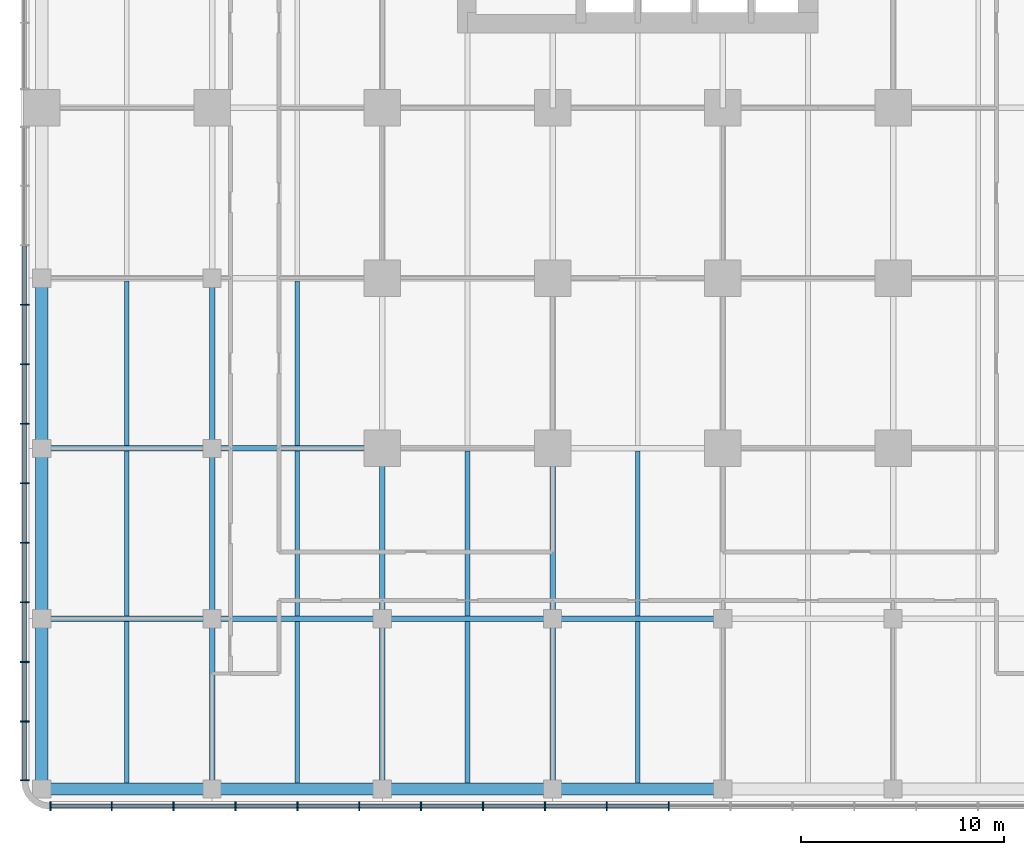
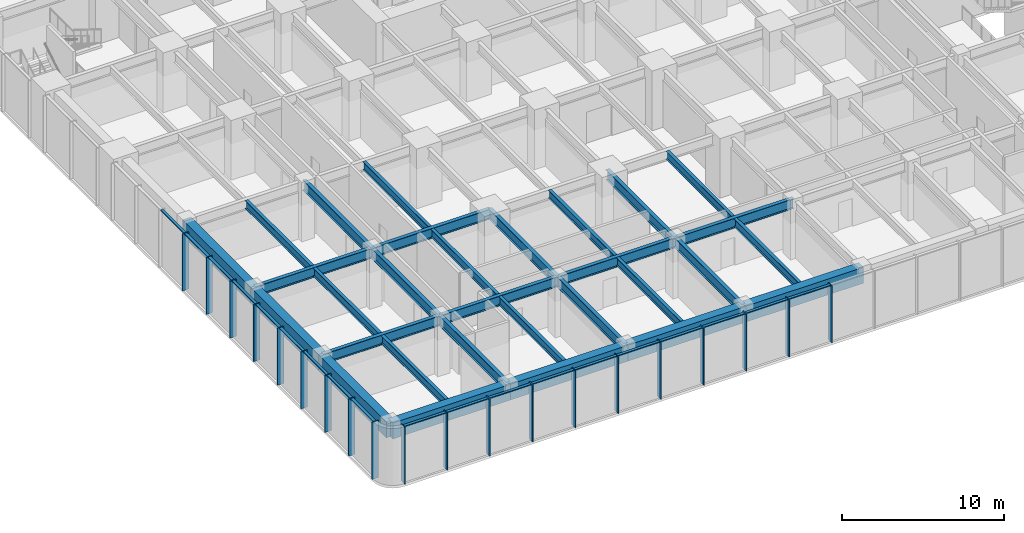
# One storey, part 2 of 19: 39 members, 30 beams, 2 elements without a shape of their own.
"""IFC4 building model written with IfcOpenShell, lengths in metres."""

from ifc_helpers import new_model, si_unit, direction, frame, origin, origin_2d, place, context, subcontext, project, spatial, rectangle, i_section, extrude, material, material_profile, profile_set, type_object, element, aggregate, save


model = new_model("IFC4")

# Units and contexts
model_context = context("Model", 3, precision=1e-05, world=origin(), true_north=direction((0.0, 1.0)))
body_context = subcontext(model_context, "Body", "Model", "MODEL_VIEW")
ifc_project = project(units=[si_unit("LENGTHUNIT", "METRE"), si_unit("AREAUNIT", "SQUARE_METRE"), si_unit("VOLUMEUNIT", "CUBIC_METRE"), si_unit("PLANEANGLEUNIT", "RADIAN"), si_unit("MASSUNIT", "GRAM", prefix="KILO")], contexts=[model_context])

# Site, building, storey
site_placement = place(None, origin())
site = spatial("IfcSite", under=ifc_project, at=site_placement, CompositionType="ELEMENT")
building_placement = place(site_placement, origin())
building = spatial("IfcBuilding", under=site, at=building_placement, Name="Torre Alcanfor", CompositionType="ELEMENT")
storey_placement = place(building_placement, frame((0.0, 0.0, 6.0)))
storey = spatial("IfcBuildingStorey", under=building, at=storey_placement, Name="L01", CompositionType="ELEMENT", Elevation=6.0)

# Curtain wall, members
ifc_material_1 = material(Name="Aluminium and glass", Category="aluminium")
curtain_wall_type = type_object("IfcCurtainWallType", Name="CW-B unitised classroom glazing with vertical FIN", PredefinedType="NOTDEFINED", material=ifc_material_1)
curtain_wall_1_placement = place(storey_placement, origin())
curtain_wall_1 = element("IfcCurtainWall", 1, at=curtain_wall_1_placement, inside=storey, type_object=curtain_wall_type, Name="Curtain wall CW-B L01 3", PredefinedType="NOTDEFINED")
ifc_material_2 = material(Name="Bronze anodised aluminium", Category="aluminium")
ifc_material_profile_1 = material_profile(ifc_material_2, rectangle(XDim=0.449951171875, YDim=0.06494140625, at=origin_2d()), Name="CW-B mullion 65x450")
ifc_profile_set_1 = profile_set([ifc_material_profile_1], Name="Bronze anodised aluminium")
member_type_1 = type_object("IfcMemberType", Name="CW-B mullion with vertical FIN 65x450", PredefinedType="MULLION", material=ifc_profile_set_1)
member_1_placement = place(storey_placement, frame((-0.85009765625, 7.087158203125, 0.0), z_axis=(0.0, 0.0, 1.0), x_axis=(1.0, 0.0, 0.0)))
member_1 = element("IfcMember", 2, at=member_1_placement, type_object=member_type_1, Name="CW-B mullion 5.4", PredefinedType="MULLION", context=body_context, shape_type="SweptSolid", body=[
    extrude(rectangle(XDim=0.449951171875, YDim=0.06494140625, at=origin_2d()), origin(), (0.0, 0.0, 1.0), 4.300048828125),
])
member_2_placement = place(storey_placement, frame((-0.85009765625, 4.1513671875, 0.0), z_axis=(0.0, 0.0, 1.0), x_axis=(1.0, 0.0, 0.0)))
member_2 = element("IfcMember", 3, at=member_2_placement, type_object=member_type_1, Name="CW-B mullion 5.5", PredefinedType="MULLION", context=body_context, shape_type="SweptSolid", body=[
    extrude(rectangle(XDim=0.449951171875, YDim=0.06494140625, at=origin_2d()), origin(), (0.0, 0.0, 1.0), 4.300048828125),
])
member_3_placement = place(storey_placement, frame((-0.85009765625, 1.215576171875, 0.0), z_axis=(0.0, 0.0, 1.0), x_axis=(1.0, 0.0, 0.0)))
member_3 = element("IfcMember", 4, at=member_3_placement, type_object=member_type_1, Name="CW-B mullion 5.6", PredefinedType="MULLION", context=body_context, shape_type="SweptSolid", body=[
    extrude(rectangle(XDim=0.449951171875, YDim=0.06494140625, at=origin_2d()), origin(), (0.0, 0.0, 1.0), 4.300048828125),
])
member_4_placement = place(storey_placement, frame((-0.85009765625, -1.720458984375, 0.0), z_axis=(0.0, 0.0, 1.0), x_axis=(1.0, 0.0, 0.0)))
member_4 = element("IfcMember", 5, at=member_4_placement, type_object=member_type_1, Name="CW-B mullion 5.7", PredefinedType="MULLION", context=body_context, shape_type="SweptSolid", body=[
    extrude(rectangle(XDim=0.449951171875, YDim=0.06494140625, at=origin_2d()), origin(), (0.0, 0.0, 1.0), 4.300048828125),
])
member_5_placement = place(storey_placement, frame((-0.85009765625, -4.65625, 0.0), z_axis=(0.0, 0.0, 1.0), x_axis=(1.0, 0.0, 0.0)))
member_5 = element("IfcMember", 6, at=member_5_placement, type_object=member_type_1, Name="CW-B mullion 5.8", PredefinedType="MULLION", context=body_context, shape_type="SweptSolid", body=[
    extrude(rectangle(XDim=0.449951171875, YDim=0.06494140625, at=origin_2d()), origin(), (0.0, 0.0, 1.0), 4.300048828125),
])
member_6_placement = place(storey_placement, frame((-0.85009765625, -7.59228515625, 0.0), z_axis=(0.0, 0.0, 1.0), x_axis=(1.0, 0.0, 0.0)))
member_6 = element("IfcMember", 7, at=member_6_placement, type_object=member_type_1, Name="CW-B mullion 5.9", PredefinedType="MULLION", context=body_context, shape_type="SweptSolid", body=[
    extrude(rectangle(XDim=0.449951171875, YDim=0.06494140625, at=origin_2d()), origin(), (0.0, 0.0, 1.0), 4.300048828125),
])
member_7_placement = place(storey_placement, frame((-0.85009765625, -10.528076171875, 0.0), z_axis=(0.0, 0.0, 1.0), x_axis=(1.0, 0.0, 0.0)))
member_7 = element("IfcMember", 8, at=member_7_placement, type_object=member_type_1, Name="CW-B mullion 5.10", PredefinedType="MULLION", context=body_context, shape_type="SweptSolid", body=[
    extrude(rectangle(XDim=0.449951171875, YDim=0.06494140625, at=origin_2d()), origin(), (0.0, 0.0, 1.0), 4.300048828125),
])
member_8_placement = place(storey_placement, frame((-0.85009765625, -13.464111328125, 0.0), z_axis=(0.0, 0.0, 1.0), x_axis=(1.0, 0.0, 0.0)))
member_8 = element("IfcMember", 9, at=member_8_placement, type_object=member_type_1, Name="CW-B mullion 5.11", PredefinedType="MULLION", context=body_context, shape_type="SweptSolid", body=[
    extrude(rectangle(XDim=0.449951171875, YDim=0.06494140625, at=origin_2d()), origin(), (0.0, 0.0, 1.0), 4.300048828125),
])
member_9_placement = place(storey_placement, frame((-0.85009765625, -16.367431640625, 0.0), z_axis=(0.0, 0.0, 1.0), x_axis=(1.0, 0.0, 0.0)))
member_9 = element("IfcMember", 10, at=member_9_placement, type_object=member_type_1, Name="CW-B mullion 5.12", PredefinedType="MULLION", context=body_context, shape_type="SweptSolid", body=[
    extrude(rectangle(XDim=0.449951171875, YDim=0.06494140625, at=origin_2d()), origin(), (0.0, 0.0, 1.0), 4.300048828125),
])

curtain_wall_2_placement = place(storey_placement, origin())
curtain_wall_2 = element("IfcCurtainWall", 11, at=curtain_wall_2_placement, inside=storey, type_object=curtain_wall_type, Name="Curtain wall CW-B L01 4", PredefinedType="NOTDEFINED")
member_10_placement = place(storey_placement, frame((0.4326171875, -17.64990234375, 0.0), z_axis=(0.0, 0.0, 1.0), x_axis=(0.0, 1.0, 0.0)))
member_10 = element("IfcMember", 12, at=member_10_placement, type_object=member_type_1, Name="CW-B mullion 1", PredefinedType="MULLION", context=body_context, shape_type="SweptSolid", body=[
    extrude(rectangle(XDim=0.449951171875, YDim=0.06494140625, at=origin_2d()), origin(), (0.0, 0.0, 1.0), 4.300048828125),
])
member_11_placement = place(storey_placement, frame((3.45263671875, -17.64990234375, 0.0), z_axis=(0.0, 0.0, 1.0), x_axis=(0.0, 1.0, 0.0)))
member_11 = element("IfcMember", 13, at=member_11_placement, type_object=member_type_1, Name="CW-B mullion 2", PredefinedType="MULLION", context=body_context, shape_type="SweptSolid", body=[
    extrude(rectangle(XDim=0.449951171875, YDim=0.06494140625, at=origin_2d()), origin(), (0.0, 0.0, 1.0), 4.300048828125),
])
member_12_placement = place(storey_placement, frame((6.50537109375, -17.64990234375, 0.0), z_axis=(0.0, 0.0, 1.0), x_axis=(0.0, 1.0, 0.0)))
member_12 = element("IfcMember", 14, at=member_12_placement, type_object=member_type_1, Name="CW-B mullion 3", PredefinedType="MULLION", context=body_context, shape_type="SweptSolid", body=[
    extrude(rectangle(XDim=0.449951171875, YDim=0.06494140625, at=origin_2d()), origin(), (0.0, 0.0, 1.0), 4.300048828125),
])
member_13_placement = place(storey_placement, frame((9.557861328125, -17.64990234375, 0.0), z_axis=(0.0, 0.0, 1.0), x_axis=(0.0, 1.0, 0.0)))
member_13 = element("IfcMember", 15, at=member_13_placement, type_object=member_type_1, Name="CW-B mullion 4", PredefinedType="MULLION", context=body_context, shape_type="SweptSolid", body=[
    extrude(rectangle(XDim=0.449951171875, YDim=0.06494140625, at=origin_2d()), origin(), (0.0, 0.0, 1.0), 4.300048828125),
])
member_14_placement = place(storey_placement, frame((12.610595703125, -17.64990234375, 0.0), z_axis=(0.0, 0.0, 1.0), x_axis=(0.0, 1.0, 0.0)))
member_14 = element("IfcMember", 16, at=member_14_placement, type_object=member_type_1, Name="CW-B mullion 5", PredefinedType="MULLION", context=body_context, shape_type="SweptSolid", body=[
    extrude(rectangle(XDim=0.449951171875, YDim=0.06494140625, at=origin_2d()), origin(), (0.0, 0.0, 1.0), 4.300048828125),
])
member_15_placement = place(storey_placement, frame((15.6630859375, -17.64990234375, 0.0), z_axis=(0.0, 0.0, 1.0), x_axis=(0.0, 1.0, 0.0)))
member_15 = element("IfcMember", 17, at=member_15_placement, type_object=member_type_1, Name="CW-B mullion 6", PredefinedType="MULLION", context=body_context, shape_type="SweptSolid", body=[
    extrude(rectangle(XDim=0.449951171875, YDim=0.06494140625, at=origin_2d()), origin(), (0.0, 0.0, 1.0), 4.300048828125),
])
member_16_placement = place(storey_placement, frame((18.7158203125, -17.64990234375, 0.0), z_axis=(0.0, 0.0, 1.0), x_axis=(0.0, 1.0, 0.0)))
member_16 = element("IfcMember", 18, at=member_16_placement, type_object=member_type_1, Name="CW-B mullion 7", PredefinedType="MULLION", context=body_context, shape_type="SweptSolid", body=[
    extrude(rectangle(XDim=0.449951171875, YDim=0.06494140625, at=origin_2d()), origin(), (0.0, 0.0, 1.0), 4.300048828125),
])
member_17_placement = place(storey_placement, frame((21.768310546875, -17.64990234375, 0.0), z_axis=(0.0, 0.0, 1.0), x_axis=(0.0, 1.0, 0.0)))
member_17 = element("IfcMember", 19, at=member_17_placement, type_object=member_type_1, Name="CW-B mullion 8", PredefinedType="MULLION", context=body_context, shape_type="SweptSolid", body=[
    extrude(rectangle(XDim=0.449951171875, YDim=0.06494140625, at=origin_2d()), origin(), (0.0, 0.0, 1.0), 4.300048828125),
])
member_18_placement = place(storey_placement, frame((24.821044921875, -17.64990234375, 0.0), z_axis=(0.0, 0.0, 1.0), x_axis=(0.0, 1.0, 0.0)))
member_18 = element("IfcMember", 20, at=member_18_placement, type_object=member_type_1, Name="CW-B mullion 9", PredefinedType="MULLION", context=body_context, shape_type="SweptSolid", body=[
    extrude(rectangle(XDim=0.449951171875, YDim=0.06494140625, at=origin_2d()), origin(), (0.0, 0.0, 1.0), 4.300048828125),
])
member_19_placement = place(storey_placement, frame((27.873779296875, -17.64990234375, 0.0), z_axis=(0.0, 0.0, 1.0), x_axis=(0.0, 1.0, 0.0)))
member_19 = element("IfcMember", 21, at=member_19_placement, type_object=member_type_1, Name="CW-B mullion 10", PredefinedType="MULLION", context=body_context, shape_type="SweptSolid", body=[
    extrude(rectangle(XDim=0.449951171875, YDim=0.06494140625, at=origin_2d()), origin(), (0.0, 0.0, 1.0), 4.300048828125),
])
member_20_placement = place(storey_placement, frame((30.92626953125, -17.64990234375, 0.0), z_axis=(0.0, 0.0, 1.0), x_axis=(0.0, 1.0, 0.0)))
member_20 = element("IfcMember", 22, at=member_20_placement, type_object=member_type_1, Name="CW-B mullion 11", PredefinedType="MULLION", context=body_context, shape_type="SweptSolid", body=[
    extrude(rectangle(XDim=0.449951171875, YDim=0.06494140625, at=origin_2d()), origin(), (0.0, 0.0, 1.0), 4.300048828125),
])

# Member
ifc_material_3 = material(Name="Extruded aluminium", Category="aluminium")
ifc_material_profile_2 = material_profile(ifc_material_3, rectangle(XDim=0.199951171875, YDim=0.06494140625, at=origin_2d()), Name="CW-B transom 200x65")
ifc_profile_set_2 = profile_set([ifc_material_profile_2], Name="Extruded aluminium")
member_type_2 = type_object("IfcMemberType", Name="CW-B transom 65x200", PredefinedType="USERDEFINED", material=ifc_profile_set_2)
member_21_placement = place(storey_placement, frame((-0.85009765625, 9.99072265625, 4.267578125), z_axis=(0.0, -1.0, 0.0), x_axis=(1.0, 0.0, 0.0)))
member_21 = element("IfcMember", 23, at=member_21_placement, type_object=member_type_2, Name="CW-B transom 5.3.2", ObjectType="TRANSOM", PredefinedType="USERDEFINED", context=body_context, shape_type="SweptSolid", body=[
    extrude(rectangle(XDim=0.199951171875, YDim=0.06494140625, at=origin_2d()), origin(), (0.0, 0.0, 1.0), 2.870849609375),
])

member_22_placement = place(storey_placement, frame((-0.85009765625, 7.0546875, 4.267578125), z_axis=(0.0, -1.0, 0.0), x_axis=(1.0, 0.0, 0.0)))
member_22 = element("IfcMember", 24, at=member_22_placement, type_object=member_type_2, Name="CW-B transom 5.4.2", ObjectType="TRANSOM", PredefinedType="USERDEFINED", context=body_context, shape_type="SweptSolid", body=[
    extrude(rectangle(XDim=0.199951171875, YDim=0.06494140625, at=origin_2d()), origin(), (0.0, 0.0, 1.0), 2.870849609375),
])

member_23_placement = place(storey_placement, frame((-0.85009765625, 4.118896484375, 4.267578125), z_axis=(0.0, -1.0, 0.0), x_axis=(1.0, 0.0, 0.0)))
member_23 = element("IfcMember", 25, at=member_23_placement, type_object=member_type_2, Name="CW-B transom 5.5.2", ObjectType="TRANSOM", PredefinedType="USERDEFINED", context=body_context, shape_type="SweptSolid", body=[
    extrude(rectangle(XDim=0.199951171875, YDim=0.06494140625, at=origin_2d()), origin(), (0.0, 0.0, 1.0), 2.870849609375),
])

member_24_placement = place(storey_placement, frame((-0.85009765625, 1.182861328125, 4.267578125), z_axis=(0.0, -1.0, 0.0), x_axis=(1.0, 0.0, 0.0)))
member_24 = element("IfcMember", 26, at=member_24_placement, type_object=member_type_2, Name="CW-B transom 5.6.2", ObjectType="TRANSOM", PredefinedType="USERDEFINED", context=body_context, shape_type="SweptSolid", body=[
    extrude(rectangle(XDim=0.199951171875, YDim=0.06494140625, at=origin_2d()), origin(), (0.0, 0.0, 1.0), 2.870849609375),
])

member_25_placement = place(storey_placement, frame((-0.85009765625, -1.7529296875, 4.267578125), z_axis=(0.0, -1.0, 0.0), x_axis=(1.0, 0.0, 0.0)))
member_25 = element("IfcMember", 27, at=member_25_placement, type_object=member_type_2, Name="CW-B transom 5.7.2", ObjectType="TRANSOM", PredefinedType="USERDEFINED", context=body_context, shape_type="SweptSolid", body=[
    extrude(rectangle(XDim=0.199951171875, YDim=0.06494140625, at=origin_2d()), origin(), (0.0, 0.0, 1.0), 2.870849609375),
])

member_26_placement = place(storey_placement, frame((-0.85009765625, -4.68896484375, 4.267578125), z_axis=(0.0, -1.0, 0.0), x_axis=(1.0, 0.0, 0.0)))
member_26 = element("IfcMember", 28, at=member_26_placement, type_object=member_type_2, Name="CW-B transom 5.8.2", ObjectType="TRANSOM", PredefinedType="USERDEFINED", context=body_context, shape_type="SweptSolid", body=[
    extrude(rectangle(XDim=0.199951171875, YDim=0.06494140625, at=origin_2d()), origin(), (0.0, 0.0, 1.0), 2.870849609375),
])

member_27_placement = place(storey_placement, frame((-0.85009765625, -7.624755859375, 4.267578125), z_axis=(0.0, -1.0, 0.0), x_axis=(1.0, 0.0, 0.0)))
member_27 = element("IfcMember", 29, at=member_27_placement, type_object=member_type_2, Name="CW-B transom 5.9.2", ObjectType="TRANSOM", PredefinedType="USERDEFINED", context=body_context, shape_type="SweptSolid", body=[
    extrude(rectangle(XDim=0.199951171875, YDim=0.06494140625, at=origin_2d()), origin(), (0.0, 0.0, 1.0), 2.870849609375),
])

member_28_placement = place(storey_placement, frame((-0.85009765625, -10.560791015625, 4.267578125), z_axis=(0.0, -1.0, 0.0), x_axis=(1.0, 0.0, 0.0)))
member_28 = element("IfcMember", 30, at=member_28_placement, type_object=member_type_2, Name="CW-B transom 5.10.2", ObjectType="TRANSOM", PredefinedType="USERDEFINED", context=body_context, shape_type="SweptSolid", body=[
    extrude(rectangle(XDim=0.199951171875, YDim=0.06494140625, at=origin_2d()), origin(), (0.0, 0.0, 1.0), 2.870849609375),
])

member_29_placement = place(storey_placement, frame((-0.85009765625, -13.49658203125, 4.267578125), z_axis=(0.0, -1.0, 0.0), x_axis=(1.0, 0.0, 0.0)))
member_29 = element("IfcMember", 31, at=member_29_placement, type_object=member_type_2, Name="CW-B transom 5.11.2", ObjectType="TRANSOM", PredefinedType="USERDEFINED", context=body_context, shape_type="SweptSolid", body=[
    extrude(rectangle(XDim=0.199951171875, YDim=0.06494140625, at=origin_2d()), origin(), (0.0, 0.0, 1.0), 2.83837890625),
])

aggregate(curtain_wall_1, [member_1, member_2, member_3, member_4, member_5, member_6, member_7, member_8, member_9, member_21, member_22, member_23, member_24, member_25, member_26, member_27, member_28, member_29])

member_30_placement = place(storey_placement, frame((0.465087890625, -17.64990234375, 4.267578125), z_axis=(1.0, 0.0, 0.0), x_axis=(0.0, 1.0, 0.0)))
member_30 = element("IfcMember", 32, at=member_30_placement, type_object=member_type_2, Name="CW-B transom 1.2", ObjectType="TRANSOM", PredefinedType="USERDEFINED", context=body_context, shape_type="SweptSolid", body=[
    extrude(rectangle(XDim=0.199951171875, YDim=0.06494140625, at=origin_2d()), origin(), (0.0, 0.0, 1.0), 2.955078125),
])

member_31_placement = place(storey_placement, frame((3.485107421875, -17.64990234375, 4.267578125), z_axis=(1.0, 0.0, 0.0), x_axis=(0.0, 1.0, 0.0)))
member_31 = element("IfcMember", 33, at=member_31_placement, type_object=member_type_2, Name="CW-B transom 2.2", ObjectType="TRANSOM", PredefinedType="USERDEFINED", context=body_context, shape_type="SweptSolid", body=[
    extrude(rectangle(XDim=0.199951171875, YDim=0.06494140625, at=origin_2d()), origin(), (0.0, 0.0, 1.0), 2.987548828125),
])

member_32_placement = place(storey_placement, frame((6.537841796875, -17.64990234375, 4.267578125), z_axis=(1.0, 0.0, 0.0), x_axis=(0.0, 1.0, 0.0)))
member_32 = element("IfcMember", 34, at=member_32_placement, type_object=member_type_2, Name="CW-B transom 3.2", ObjectType="TRANSOM", PredefinedType="USERDEFINED", context=body_context, shape_type="SweptSolid", body=[
    extrude(rectangle(XDim=0.199951171875, YDim=0.06494140625, at=origin_2d()), origin(), (0.0, 0.0, 1.0), 2.987548828125),
])

member_33_placement = place(storey_placement, frame((9.59033203125, -17.64990234375, 4.267578125), z_axis=(1.0, 0.0, 0.0), x_axis=(0.0, 1.0, 0.0)))
member_33 = element("IfcMember", 35, at=member_33_placement, type_object=member_type_2, Name="CW-B transom 4.2", ObjectType="TRANSOM", PredefinedType="USERDEFINED", context=body_context, shape_type="SweptSolid", body=[
    extrude(rectangle(XDim=0.199951171875, YDim=0.06494140625, at=origin_2d()), origin(), (0.0, 0.0, 1.0), 2.98779296875),
])

member_34_placement = place(storey_placement, frame((12.64306640625, -17.64990234375, 4.267578125), z_axis=(1.0, 0.0, 0.0), x_axis=(0.0, 1.0, 0.0)))
member_34 = element("IfcMember", 36, at=member_34_placement, type_object=member_type_2, Name="CW-B transom 5.2", ObjectType="TRANSOM", PredefinedType="USERDEFINED", context=body_context, shape_type="SweptSolid", body=[
    extrude(rectangle(XDim=0.199951171875, YDim=0.06494140625, at=origin_2d()), origin(), (0.0, 0.0, 1.0), 2.987548828125),
])

member_35_placement = place(storey_placement, frame((15.695556640625, -17.64990234375, 4.267578125), z_axis=(1.0, 0.0, 0.0), x_axis=(0.0, 1.0, 0.0)))
member_35 = element("IfcMember", 37, at=member_35_placement, type_object=member_type_2, Name="CW-B transom 6.2", ObjectType="TRANSOM", PredefinedType="USERDEFINED", context=body_context, shape_type="SweptSolid", body=[
    extrude(rectangle(XDim=0.199951171875, YDim=0.06494140625, at=origin_2d()), origin(), (0.0, 0.0, 1.0), 2.98779296875),
])

member_36_placement = place(storey_placement, frame((18.748291015625, -17.64990234375, 4.267578125), z_axis=(1.0, 0.0, 0.0), x_axis=(0.0, 1.0, 0.0)))
member_36 = element("IfcMember", 38, at=member_36_placement, type_object=member_type_2, Name="CW-B transom 7.2", ObjectType="TRANSOM", PredefinedType="USERDEFINED", context=body_context, shape_type="SweptSolid", body=[
    extrude(rectangle(XDim=0.199951171875, YDim=0.06494140625, at=origin_2d()), origin(), (0.0, 0.0, 1.0), 2.987548828125),
])

member_37_placement = place(storey_placement, frame((21.801025390625, -17.64990234375, 4.267578125), z_axis=(1.0, 0.0, 0.0), x_axis=(0.0, 1.0, 0.0)))
member_37 = element("IfcMember", 39, at=member_37_placement, type_object=member_type_2, Name="CW-B transom 8.2", ObjectType="TRANSOM", PredefinedType="USERDEFINED", context=body_context, shape_type="SweptSolid", body=[
    extrude(rectangle(XDim=0.199951171875, YDim=0.06494140625, at=origin_2d()), origin(), (0.0, 0.0, 1.0), 2.987548828125),
])

member_38_placement = place(storey_placement, frame((24.853515625, -17.64990234375, 4.267578125), z_axis=(1.0, 0.0, 0.0), x_axis=(0.0, 1.0, 0.0)))
member_38 = element("IfcMember", 40, at=member_38_placement, type_object=member_type_2, Name="CW-B transom 9.2", ObjectType="TRANSOM", PredefinedType="USERDEFINED", context=body_context, shape_type="SweptSolid", body=[
    extrude(rectangle(XDim=0.199951171875, YDim=0.06494140625, at=origin_2d()), origin(), (0.0, 0.0, 1.0), 2.987548828125),
])

member_39_placement = place(storey_placement, frame((27.90625, -17.64990234375, 4.267578125), z_axis=(1.0, 0.0, 0.0), x_axis=(0.0, 1.0, 0.0)))
member_39 = element("IfcMember", 41, at=member_39_placement, type_object=member_type_2, Name="CW-B transom 10.2", ObjectType="TRANSOM", PredefinedType="USERDEFINED", context=body_context, shape_type="SweptSolid", body=[
    extrude(rectangle(XDim=0.199951171875, YDim=0.06494140625, at=origin_2d()), origin(), (0.0, 0.0, 1.0), 2.987548828125),
])

aggregate(curtain_wall_2, [member_10, member_11, member_12, member_13, member_14, member_15, member_16, member_17, member_18, member_19, member_20, member_30, member_31, member_32, member_33, member_34, member_35, member_36, member_37, member_38, member_39])

# Beams
ifc_material_4 = material(Name="Steel ASTM A992 Grade 50", Category="steel")
ifc_material_profile_3 = material_profile(ifc_material_4, i_section(OverallWidth=0.2666015625, OverallDepth=0.7568359375, WebThickness=0.013916015625, FlangeThickness=0.019287109375, at=origin_2d()), Name="W30x108")
ifc_profile_set_3 = profile_set([ifc_material_profile_3], Name="Steel ASTM A992 Grade 50")
beam_type_1 = type_object("IfcBeamType", Name="Girder W30x108", PredefinedType="BEAM", material=ifc_profile_set_3)
beam_1_placement = place(storey_placement, frame((0.0, -8.39990234375, 3.921630859375), z_axis=(1.0, 0.0, 0.0), x_axis=(0.0, 1.0, 0.0)))
element("IfcBeam", 42, at=beam_1_placement, inside=storey, type_object=beam_type_1, Name="Beam 1B-2B under L02", PredefinedType="BEAM", context=body_context, shape_type="SweptSolid", body=[
    extrude(i_section(OverallWidth=0.2666015625, OverallDepth=0.7568359375, WebThickness=0.013916015625, FlangeThickness=0.019287109375, at=origin_2d()), origin(), (0.0, 0.0, 1.0), 8.39990234375),
])
beam_2_placement = place(storey_placement, frame((8.39990234375, -8.39990234375, 3.921630859375), z_axis=(1.0, 0.0, 0.0), x_axis=(0.0, 1.0, 0.0)))
element("IfcBeam", 43, at=beam_2_placement, inside=storey, type_object=beam_type_1, Name="Beam 2B-3B under L02", PredefinedType="BEAM", context=body_context, shape_type="SweptSolid", body=[
    extrude(i_section(OverallWidth=0.2666015625, OverallDepth=0.7568359375, WebThickness=0.013916015625, FlangeThickness=0.019287109375, at=origin_2d()), origin(), (0.0, 0.0, 1.0), 8.400146484375),
])
beam_3_placement = place(storey_placement, frame((16.800048828125, -8.39990234375, 3.921630859375), z_axis=(1.0, 0.0, 0.0), x_axis=(0.0, 1.0, 0.0)))
element("IfcBeam", 44, at=beam_3_placement, inside=storey, type_object=beam_type_1, Name="Beam 3B-4B under L02", PredefinedType="BEAM", context=body_context, shape_type="SweptSolid", body=[
    extrude(i_section(OverallWidth=0.2666015625, OverallDepth=0.7568359375, WebThickness=0.013916015625, FlangeThickness=0.019287109375, at=origin_2d()), origin(), (0.0, 0.0, 1.0), 8.39990234375),
])
beam_4_placement = place(storey_placement, frame((25.199951171875, -8.39990234375, 3.921630859375), z_axis=(1.0, 0.0, 0.0), x_axis=(0.0, 1.0, 0.0)))
element("IfcBeam", 45, at=beam_4_placement, inside=storey, type_object=beam_type_1, Name="Beam 4B-5B under L02", PredefinedType="BEAM", context=body_context, shape_type="SweptSolid", body=[
    extrude(i_section(OverallWidth=0.2666015625, OverallDepth=0.7568359375, WebThickness=0.013916015625, FlangeThickness=0.019287109375, at=origin_2d()), origin(), (0.0, 0.0, 1.0), 8.400146484375),
])
beam_5_placement = place(storey_placement, frame((0.0, 0.0, 3.921630859375), z_axis=(1.0, 0.0, 0.0), x_axis=(0.0, 1.0, 0.0)))
element("IfcBeam", 46, at=beam_5_placement, inside=storey, type_object=beam_type_1, Name="Beam 1C-2C under L02", PredefinedType="BEAM", context=body_context, shape_type="SweptSolid", body=[
    extrude(i_section(OverallWidth=0.2666015625, OverallDepth=0.7568359375, WebThickness=0.013916015625, FlangeThickness=0.019287109375, at=origin_2d()), origin(), (0.0, 0.0, 1.0), 8.39990234375),
])
for number, where, z_axis, x_axis, name in (
    (47, (8.39990234375, 0.0, 3.921630859375), (1.0, 0.0, 0.0), (0.0, 1.0, 0.0), "Beam 2C-3C under L02"),
    (48, (8.39990234375, -16.800048828125, 3.921630859375), (0.0, 1.0, 0.0), (-1.0, 0.0, 0.0), "Beam 2A-2B under L02"),
):
    element("IfcBeam", number, at=place(storey_placement, frame(where, z_axis=z_axis, x_axis=x_axis)), inside=storey, type_object=beam_type_1, Name=name, PredefinedType="BEAM", context=body_context, shape_type="SweptSolid", body=[
        extrude(i_section(OverallWidth=0.2666015625, OverallDepth=0.7568359375, WebThickness=0.013916015625, FlangeThickness=0.019287109375, at=origin_2d()), origin(), (0.0, 0.0, 1.0), 8.400146484375),
    ])
for number, where, z_axis, x_axis, name in (
    (49, (8.39990234375, -8.39990234375, 3.921630859375), (0.0, 1.0, 0.0), (-1.0, 0.0, 0.0), "Beam 2B-2C under L02"),
    (50, (8.39990234375, 0.0, 3.921630859375), (0.0, 1.0, 0.0), (-1.0, 0.0, 0.0), "Beam 2C-2D under L02"),
):
    element("IfcBeam", number, at=place(storey_placement, frame(where, z_axis=z_axis, x_axis=x_axis)), inside=storey, type_object=beam_type_1, Name=name, PredefinedType="BEAM", context=body_context, shape_type="SweptSolid", body=[
        extrude(i_section(OverallWidth=0.2666015625, OverallDepth=0.7568359375, WebThickness=0.013916015625, FlangeThickness=0.019287109375, at=origin_2d()), origin(), (0.0, 0.0, 1.0), 8.39990234375),
    ])
beam_6_placement = place(storey_placement, frame((16.800048828125, -16.800048828125, 3.921630859375), z_axis=(0.0, 1.0, 0.0), x_axis=(-1.0, 0.0, 0.0)))
element("IfcBeam", 51, at=beam_6_placement, inside=storey, type_object=beam_type_1, Name="Beam 3A-3B under L02", PredefinedType="BEAM", context=body_context, shape_type="SweptSolid", body=[
    extrude(i_section(OverallWidth=0.2666015625, OverallDepth=0.7568359375, WebThickness=0.013916015625, FlangeThickness=0.019287109375, at=origin_2d()), origin(), (0.0, 0.0, 1.0), 8.400146484375),
])
beam_7_placement = place(storey_placement, frame((16.800048828125, -8.39990234375, 3.921630859375), z_axis=(0.0, 1.0, 0.0), x_axis=(-1.0, 0.0, 0.0)))
element("IfcBeam", 52, at=beam_7_placement, inside=storey, type_object=beam_type_1, Name="Beam 3B-3C under L02", PredefinedType="BEAM", context=body_context, shape_type="SweptSolid", body=[
    extrude(i_section(OverallWidth=0.2666015625, OverallDepth=0.7568359375, WebThickness=0.013916015625, FlangeThickness=0.019287109375, at=origin_2d()), origin(), (0.0, 0.0, 1.0), 8.39990234375),
])
beam_8_placement = place(storey_placement, frame((25.199951171875, -16.800048828125, 3.921630859375), z_axis=(0.0, 1.0, 0.0), x_axis=(-1.0, 0.0, 0.0)))
element("IfcBeam", 53, at=beam_8_placement, inside=storey, type_object=beam_type_1, Name="Beam 4A-4B under L02", PredefinedType="BEAM", context=body_context, shape_type="SweptSolid", body=[
    extrude(i_section(OverallWidth=0.2666015625, OverallDepth=0.7568359375, WebThickness=0.013916015625, FlangeThickness=0.019287109375, at=origin_2d()), origin(), (0.0, 0.0, 1.0), 8.400146484375),
])
beam_9_placement = place(storey_placement, frame((25.199951171875, -8.39990234375, 3.921630859375), z_axis=(0.0, 1.0, 0.0), x_axis=(-1.0, 0.0, 0.0)))
element("IfcBeam", 54, at=beam_9_placement, inside=storey, type_object=beam_type_1, Name="Beam 4B-4C under L02", PredefinedType="BEAM", context=body_context, shape_type="SweptSolid", body=[
    extrude(i_section(OverallWidth=0.2666015625, OverallDepth=0.7568359375, WebThickness=0.013916015625, FlangeThickness=0.019287109375, at=origin_2d()), origin(), (0.0, 0.0, 1.0), 8.39990234375),
])
ifc_material_5 = material(Name="Concrete f'c 70 MPa", Category="concrete")
ifc_material_profile_4 = material_profile(ifc_material_5, rectangle(XDim=0.60009765625, YDim=1.199951171875, at=origin_2d()), Name="600x1200")
ifc_profile_set_4 = profile_set([ifc_material_profile_4], Name="Concrete f'c 70 MPa")
beam_type_2 = type_object("IfcBeamType", Name="RC perimeter beam 600x1200", PredefinedType="BEAM", material=ifc_profile_set_4)
beam_10_placement = place(storey_placement, frame((0.0, -16.800048828125, 3.699951171875), z_axis=(1.0, 0.0, 0.0), x_axis=(0.0, 1.0, 0.0)))
element("IfcBeam", 55, at=beam_10_placement, inside=storey, type_object=beam_type_2, Name="Beam 1A-2A under L02", PredefinedType="BEAM", context=body_context, shape_type="SweptSolid", body=[
    extrude(rectangle(XDim=0.60009765625, YDim=1.199951171875, at=origin_2d()), origin(), (0.0, 0.0, 1.0), 8.39990234375),
])
beam_11_placement = place(storey_placement, frame((8.39990234375, -16.800048828125, 3.699951171875), z_axis=(1.0, 0.0, 0.0), x_axis=(0.0, 1.0, 0.0)))
element("IfcBeam", 56, at=beam_11_placement, inside=storey, type_object=beam_type_2, Name="Beam 2A-3A under L02", PredefinedType="BEAM", context=body_context, shape_type="SweptSolid", body=[
    extrude(rectangle(XDim=0.60009765625, YDim=1.199951171875, at=origin_2d()), origin(), (0.0, 0.0, 1.0), 8.400146484375),
])
beam_12_placement = place(storey_placement, frame((16.800048828125, -16.800048828125, 3.699951171875), z_axis=(1.0, 0.0, 0.0), x_axis=(0.0, 1.0, 0.0)))
element("IfcBeam", 57, at=beam_12_placement, inside=storey, type_object=beam_type_2, Name="Beam 3A-4A under L02", PredefinedType="BEAM", context=body_context, shape_type="SweptSolid", body=[
    extrude(rectangle(XDim=0.60009765625, YDim=1.199951171875, at=origin_2d()), origin(), (0.0, 0.0, 1.0), 8.39990234375),
])
for number, where, z_axis, x_axis, name in (
    (58, (25.199951171875, -16.800048828125, 3.699951171875), (1.0, 0.0, 0.0), (0.0, 1.0, 0.0), "Beam 4A-5A under L02"),
    (59, (0.0, -16.800048828125, 3.699951171875), (0.0, 1.0, 0.0), (-1.0, 0.0, 0.0), "Beam 1A-1B under L02"),
):
    element("IfcBeam", number, at=place(storey_placement, frame(where, z_axis=z_axis, x_axis=x_axis)), inside=storey, type_object=beam_type_2, Name=name, PredefinedType="BEAM", context=body_context, shape_type="SweptSolid", body=[
        extrude(rectangle(XDim=0.60009765625, YDim=1.199951171875, at=origin_2d()), origin(), (0.0, 0.0, 1.0), 8.400146484375),
    ])
for number, where, z_axis, x_axis, name in (
    (60, (0.0, -8.39990234375, 3.699951171875), (0.0, 1.0, 0.0), (-1.0, 0.0, 0.0), "Beam 1B-1C under L02"),
    (61, (0.0, 0.0, 3.699951171875), (0.0, 1.0, 0.0), (-1.0, 0.0, 0.0), "Beam 1C-1D under L02"),
):
    element("IfcBeam", number, at=place(storey_placement, frame(where, z_axis=z_axis, x_axis=x_axis)), inside=storey, type_object=beam_type_2, Name=name, PredefinedType="BEAM", context=body_context, shape_type="SweptSolid", body=[
        extrude(rectangle(XDim=0.60009765625, YDim=1.199951171875, at=origin_2d()), origin(), (0.0, 0.0, 1.0), 8.39990234375),
    ])
ifc_material_6 = material(Name="Steel ASTM A992 Grade 50", Category="steel")
ifc_material_profile_5 = material_profile(ifc_material_6, i_section(OverallWidth=0.22900390625, OverallDepth=0.612060546875, WebThickness=0.011962890625, FlangeThickness=0.01953125, at=origin_2d()), Name="W24x84")
ifc_profile_set_5 = profile_set([ifc_material_profile_5], Name="Steel ASTM A992 Grade 50")
beam_type_3 = type_object("IfcBeamType", Name="Secondary beam W24x84", PredefinedType="BEAM", material=ifc_profile_set_5)
beam_13_placement = place(storey_placement, frame((4.199951171875, -16.5, 3.993896484375), z_axis=(0.0, 1.0, 0.0), x_axis=(-1.0, 0.0, 0.0)))
element("IfcBeam", 62, at=beam_13_placement, inside=storey, type_object=beam_type_3, Name="Beam 4_2A-4_2B under L02", PredefinedType="BEAM", context=body_context, shape_type="SweptSolid", body=[
    extrude(i_section(OverallWidth=0.22900390625, OverallDepth=0.612060546875, WebThickness=0.011962890625, FlangeThickness=0.01953125, at=origin_2d()), origin(), (0.0, 0.0, 1.0), 7.967041015625),
])
for number, where, z_axis, x_axis, name in (
    (63, (4.199951171875, -8.26708984375, 3.993896484375), (0.0, 1.0, 0.0), (-1.0, 0.0, 0.0), "Beam 4_2B-4_2C under L02"),
    (64, (4.199951171875, 0.133056640625, 3.993896484375), (0.0, 1.0, 0.0), (-1.0, 0.0, 0.0), "Beam 4_2C-4_2D under L02"),
):
    element("IfcBeam", number, at=place(storey_placement, frame(where, z_axis=z_axis, x_axis=x_axis)), inside=storey, type_object=beam_type_3, Name=name, PredefinedType="BEAM", context=body_context, shape_type="SweptSolid", body=[
        extrude(i_section(OverallWidth=0.22900390625, OverallDepth=0.612060546875, WebThickness=0.011962890625, FlangeThickness=0.01953125, at=origin_2d()), origin(), (0.0, 0.0, 1.0), 8.134033203125),
    ])
beam_14_placement = place(storey_placement, frame((12.60009765625, -16.5, 3.993896484375), z_axis=(0.0, 1.0, 0.0), x_axis=(-1.0, 0.0, 0.0)))
element("IfcBeam", 65, at=beam_14_placement, inside=storey, type_object=beam_type_3, Name="Beam 12_6A-12_6B under L02", PredefinedType="BEAM", context=body_context, shape_type="SweptSolid", body=[
    extrude(i_section(OverallWidth=0.22900390625, OverallDepth=0.612060546875, WebThickness=0.011962890625, FlangeThickness=0.01953125, at=origin_2d()), origin(), (0.0, 0.0, 1.0), 7.967041015625),
])
for number, where, z_axis, x_axis, name in (
    (66, (12.60009765625, -8.26708984375, 3.993896484375), (0.0, 1.0, 0.0), (-1.0, 0.0, 0.0), "Beam 12_6B-12_6C under L02"),
    (67, (12.60009765625, 0.133056640625, 3.993896484375), (0.0, 1.0, 0.0), (-1.0, 0.0, 0.0), "Beam 12_6C-12_6D under L02"),
):
    element("IfcBeam", number, at=place(storey_placement, frame(where, z_axis=z_axis, x_axis=x_axis)), inside=storey, type_object=beam_type_3, Name=name, PredefinedType="BEAM", context=body_context, shape_type="SweptSolid", body=[
        extrude(i_section(OverallWidth=0.22900390625, OverallDepth=0.612060546875, WebThickness=0.011962890625, FlangeThickness=0.01953125, at=origin_2d()), origin(), (0.0, 0.0, 1.0), 8.134033203125),
    ])
beam_15_placement = place(storey_placement, frame((21.0, -16.5, 3.993896484375), z_axis=(0.0, 1.0, 0.0), x_axis=(-1.0, 0.0, 0.0)))
element("IfcBeam", 68, at=beam_15_placement, inside=storey, type_object=beam_type_3, Name="Beam 21A-21B under L02", PredefinedType="BEAM", context=body_context, shape_type="SweptSolid", body=[
    extrude(i_section(OverallWidth=0.22900390625, OverallDepth=0.612060546875, WebThickness=0.011962890625, FlangeThickness=0.01953125, at=origin_2d()), origin(), (0.0, 0.0, 1.0), 7.967041015625),
])
beam_16_placement = place(storey_placement, frame((21.0, -8.26708984375, 3.993896484375), z_axis=(0.0, 1.0, 0.0), x_axis=(-1.0, 0.0, 0.0)))
element("IfcBeam", 69, at=beam_16_placement, inside=storey, type_object=beam_type_3, Name="Beam 21B-21C under L02", PredefinedType="BEAM", context=body_context, shape_type="SweptSolid", body=[
    extrude(i_section(OverallWidth=0.22900390625, OverallDepth=0.612060546875, WebThickness=0.011962890625, FlangeThickness=0.01953125, at=origin_2d()), origin(), (0.0, 0.0, 1.0), 8.134033203125),
])
beam_17_placement = place(storey_placement, frame((29.39990234375, -16.5, 3.993896484375), z_axis=(0.0, 1.0, 0.0), x_axis=(-1.0, 0.0, 0.0)))
element("IfcBeam", 70, at=beam_17_placement, inside=storey, type_object=beam_type_3, Name="Beam 29_4A-29_4B under L02", PredefinedType="BEAM", context=body_context, shape_type="SweptSolid", body=[
    extrude(i_section(OverallWidth=0.22900390625, OverallDepth=0.612060546875, WebThickness=0.011962890625, FlangeThickness=0.01953125, at=origin_2d()), origin(), (0.0, 0.0, 1.0), 7.967041015625),
])
beam_18_placement = place(storey_placement, frame((29.39990234375, -8.26708984375, 3.993896484375), z_axis=(0.0, 1.0, 0.0), x_axis=(-1.0, 0.0, 0.0)))
element("IfcBeam", 71, at=beam_18_placement, inside=storey, type_object=beam_type_3, Name="Beam 29_4B-29_4C under L02", PredefinedType="BEAM", context=body_context, shape_type="SweptSolid", body=[
    extrude(i_section(OverallWidth=0.22900390625, OverallDepth=0.612060546875, WebThickness=0.011962890625, FlangeThickness=0.01953125, at=origin_2d()), origin(), (0.0, 0.0, 1.0), 8.134033203125),
])

save(model, "model.ifc")
